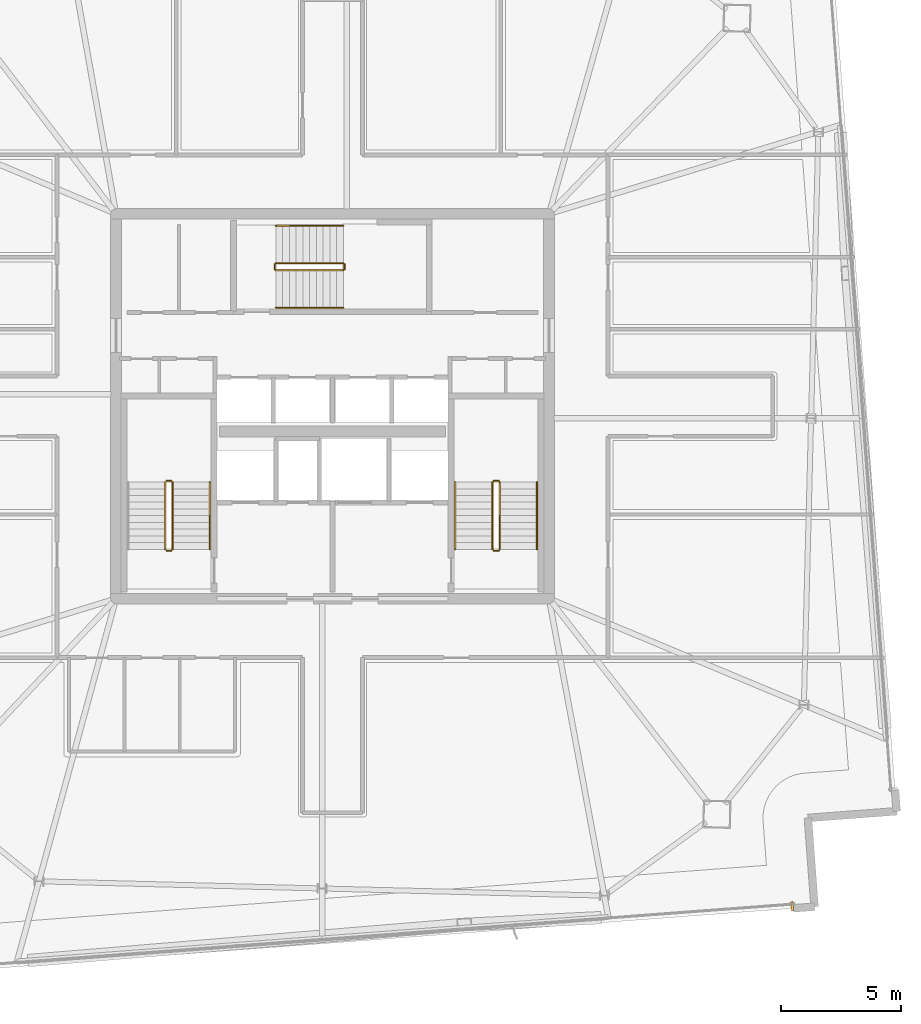
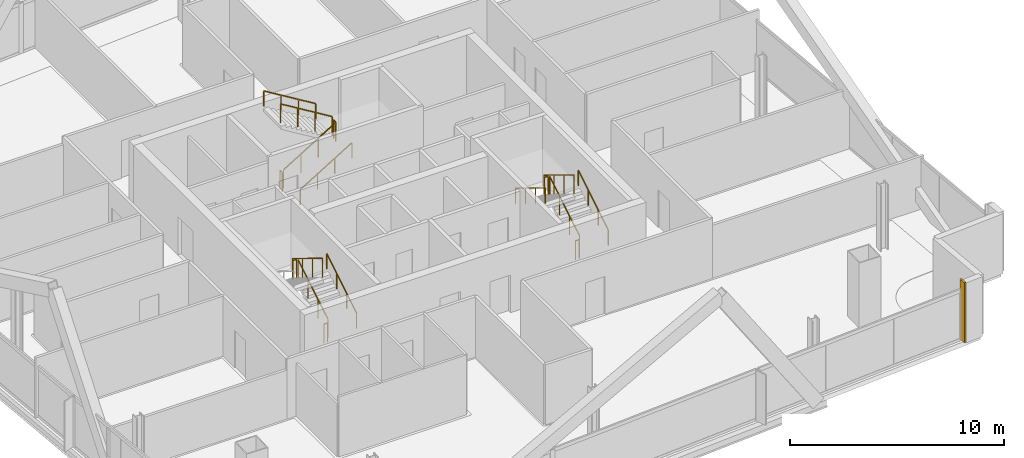
# One storey, part 22 of 23: 17 railings, 1 covering.
"""IFC4 building model written with IfcOpenShell, lengths in metres."""

from ifc_helpers import new_model, si_unit, direction, frame, origin, origin_2d, place, context, subcontext, project, spatial, rectangle, extrude, source, transform, mapped, material, layer, layer_set, type_object, element, save


model = new_model("IFC4")

# Units and contexts
model_context = context("Model", 3, precision=1e-05, world=origin(), true_north=direction((0.0, 1.0)))
body_context = subcontext(model_context, "Body", "Model", "MODEL_VIEW")
ifc_project = project(units=[si_unit("LENGTHUNIT", "METRE"), si_unit("AREAUNIT", "SQUARE_METRE"), si_unit("VOLUMEUNIT", "CUBIC_METRE"), si_unit("PLANEANGLEUNIT", "RADIAN"), si_unit("MASSUNIT", "GRAM", prefix="KILO")], contexts=[model_context])

# Site, building, storey
site_placement = place(None, origin())
site = spatial("IfcSite", under=ifc_project, at=site_placement, CompositionType="ELEMENT")
building_placement = place(site_placement, origin())
building = spatial("IfcBuilding", under=site, at=building_placement, Name="Haldenkirk Collegiate Tower", CompositionType="ELEMENT")
storey_placement = place(building_placement, frame((0.0, 0.0, 343.949951171875)))
storey = spatial("IfcBuildingStorey", under=building, at=storey_placement, Name="L87", CompositionType="ELEMENT", Elevation=343.949951171875)

# Railings
ifc_material_1 = material(Name="Painted architectural tubular steel", Category="steel")
railing_type_1 = type_object("IfcRailingType", Name="RLG-STAIR-GUARD-1100", PredefinedType="BALUSTRADE", material=ifc_material_1)
railing_1_placement = place(storey_placement, frame((29.35009765625, 20.050048828125, 0.17041015625)))
element("IfcRailing", 1, at=railing_1_placement, inside=storey, type_object=railing_type_1, Name="L87 ST-1 stair guard 1", PredefinedType="BALUSTRADE", context=body_context, shape_type="SweptSolid", body=[
    extrude(rectangle(XDim=0.048095703125, YDim=0.048095703125, at=origin_2d()), frame((0.0, 0.0, 1.076171875), z_axis=(0.0, 0.854169791009, 0.51999420009), x_axis=(-1.0, 0.0, 0.0)), (0.0, 0.0, 1.0), 3.278076171875),
    extrude(rectangle(XDim=0.0419921875, YDim=0.0419921875, at=origin_2d()), origin(), (0.0, 0.0, 1.0), 1.052001953125),
    extrude(rectangle(XDim=0.0419921875, YDim=0.0419921875, at=origin_2d()), frame((0.0, 0.933349609375, 0.568115234375)), (0.0, 0.0, 1.0), 1.052001953125),
    extrude(rectangle(XDim=0.0419921875, YDim=0.0419921875, at=origin_2d()), frame((0.0, 1.86669921875, 1.136474609375)), (0.0, 0.0, 1.0), 1.052001953125),
    extrude(rectangle(XDim=0.0419921875, YDim=0.0419921875, at=origin_2d()), frame((0.0, 2.800048828125, 1.70458984375)), (0.0, 0.0, 1.0), 1.052001953125),
])
railing_2_placement = place(storey_placement, frame((29.300048828125, 22.89990234375, 1.875)))
element("IfcRailing", 2, at=railing_2_placement, inside=storey, type_object=railing_type_1, Name="L87 ST-1 stair guard 2", PredefinedType="BALUSTRADE", context=body_context, shape_type="SweptSolid", body=[
    extrude(rectangle(XDim=0.048095703125, YDim=0.048095703125, at=origin_2d()), frame((0.0, 0.0, 1.076171875), z_axis=(-1.0, 0.0, 0.0), x_axis=(0.0, -1.0, 0.0)), (0.0, 0.0, 1.0), 0.199951171875),
    extrude(rectangle(XDim=0.0419921875, YDim=0.0419921875, at=origin_2d()), origin(), (0.0, 0.0, 1.0), 1.052001953125),
    extrude(rectangle(XDim=0.0419921875, YDim=0.0419921875, at=origin_2d()), frame((-0.199951171875, 0.0, 0.0)), (0.0, 0.0, 1.0), 1.052001953125),
])
railing_3_placement = place(storey_placement, frame((29.050048828125, 22.85009765625, 2.04541015625)))
element("IfcRailing", 3, at=railing_3_placement, inside=storey, type_object=railing_type_1, Name="L87 ST-1 stair guard 3", PredefinedType="BALUSTRADE", context=body_context, shape_type="SweptSolid", body=[
    extrude(rectangle(XDim=0.048095703125, YDim=0.048095703125, at=origin_2d()), frame((0.0, 0.0, 1.076171875), z_axis=(0.0, -0.854169791009, 0.51999420009), x_axis=(1.0, 0.0, 0.0)), (0.0, 0.0, 1.0), 3.278076171875),
    extrude(rectangle(XDim=0.0419921875, YDim=0.0419921875, at=origin_2d()), origin(), (0.0, 0.0, 1.0), 1.052001953125),
    extrude(rectangle(XDim=0.0419921875, YDim=0.0419921875, at=origin_2d()), frame((0.0, -0.933349609375, 0.568115234375)), (0.0, 0.0, 1.0), 1.052001953125),
    extrude(rectangle(XDim=0.0419921875, YDim=0.0419921875, at=origin_2d()), frame((0.0, -1.86669921875, 1.136474609375)), (0.0, 0.0, 1.0), 1.052001953125),
    extrude(rectangle(XDim=0.0419921875, YDim=0.0419921875, at=origin_2d()), frame((0.0, -2.800048828125, 1.70458984375)), (0.0, 0.0, 1.0), 1.052001953125),
])
railing_4_placement = place(storey_placement, frame((29.300048828125, 20.0, 0.0)))
element("IfcRailing", 4, at=railing_4_placement, inside=storey, type_object=railing_type_1, Name="L87 ST-1 stair guard 4", PredefinedType="BALUSTRADE", context=body_context, shape_type="SweptSolid", body=[
    extrude(rectangle(XDim=0.048095703125, YDim=0.048095703125, at=origin_2d()), frame((0.0, 0.0, 1.076171875), z_axis=(-1.0, 0.0, 0.0), x_axis=(0.0, -1.0, 0.0)), (0.0, 0.0, 1.0), 0.199951171875),
    extrude(rectangle(XDim=0.0419921875, YDim=0.0419921875, at=origin_2d()), origin(), (0.0, 0.0, 1.0), 1.052001953125),
    extrude(rectangle(XDim=0.0419921875, YDim=0.0419921875, at=origin_2d()), frame((-0.199951171875, 0.0, 0.0)), (0.0, 0.0, 1.0), 1.052001953125),
])
railing_5_placement = place(storey_placement, frame((42.949951171875, 20.050048828125, 0.17041015625)))
element("IfcRailing", 5, at=railing_5_placement, inside=storey, type_object=railing_type_1, Name="L87 ST-2 stair guard 1", PredefinedType="BALUSTRADE", context=body_context, shape_type="SweptSolid", body=[
    extrude(rectangle(XDim=0.048095703125, YDim=0.048095703125, at=origin_2d()), frame((0.0, 0.0, 1.076171875), z_axis=(0.0, 0.854169791009, 0.51999420009), x_axis=(-1.0, 0.0, 0.0)), (0.0, 0.0, 1.0), 3.278076171875),
    extrude(rectangle(XDim=0.0419921875, YDim=0.0419921875, at=origin_2d()), origin(), (0.0, 0.0, 1.0), 1.052001953125),
    extrude(rectangle(XDim=0.0419921875, YDim=0.0419921875, at=origin_2d()), frame((0.0, 0.933349609375, 0.568115234375)), (0.0, 0.0, 1.0), 1.052001953125),
    extrude(rectangle(XDim=0.0419921875, YDim=0.0419921875, at=origin_2d()), frame((0.0, 1.86669921875, 1.136474609375)), (0.0, 0.0, 1.0), 1.052001953125),
    extrude(rectangle(XDim=0.0419921875, YDim=0.0419921875, at=origin_2d()), frame((0.0, 2.800048828125, 1.70458984375)), (0.0, 0.0, 1.0), 1.052001953125),
])
railing_6_placement = place(storey_placement, frame((42.89990234375, 22.89990234375, 1.875)))
element("IfcRailing", 6, at=railing_6_placement, inside=storey, type_object=railing_type_1, Name="L87 ST-2 stair guard 2", PredefinedType="BALUSTRADE", context=body_context, shape_type="SweptSolid", body=[
    extrude(rectangle(XDim=0.048095703125, YDim=0.048095703125, at=origin_2d()), frame((0.0, 0.0, 1.076171875), z_axis=(-1.0, 0.0, 0.0), x_axis=(0.0, -1.0, 0.0)), (0.0, 0.0, 1.0), 0.199951171875),
    extrude(rectangle(XDim=0.0419921875, YDim=0.0419921875, at=origin_2d()), origin(), (0.0, 0.0, 1.0), 1.052001953125),
    extrude(rectangle(XDim=0.0419921875, YDim=0.0419921875, at=origin_2d()), frame((-0.199951171875, 0.0, 0.0)), (0.0, 0.0, 1.0), 1.052001953125),
])
railing_7_placement = place(storey_placement, frame((42.64990234375, 22.85009765625, 2.04541015625)))
element("IfcRailing", 7, at=railing_7_placement, inside=storey, type_object=railing_type_1, Name="L87 ST-2 stair guard 3", PredefinedType="BALUSTRADE", context=body_context, shape_type="SweptSolid", body=[
    extrude(rectangle(XDim=0.048095703125, YDim=0.048095703125, at=origin_2d()), frame((0.0, 0.0, 1.076171875), z_axis=(0.0, -0.854169791009, 0.51999420009), x_axis=(1.0, 0.0, 0.0)), (0.0, 0.0, 1.0), 3.278076171875),
    extrude(rectangle(XDim=0.0419921875, YDim=0.0419921875, at=origin_2d()), origin(), (0.0, 0.0, 1.0), 1.052001953125),
    extrude(rectangle(XDim=0.0419921875, YDim=0.0419921875, at=origin_2d()), frame((0.0, -0.933349609375, 0.568115234375)), (0.0, 0.0, 1.0), 1.052001953125),
    extrude(rectangle(XDim=0.0419921875, YDim=0.0419921875, at=origin_2d()), frame((0.0, -1.86669921875, 1.136474609375)), (0.0, 0.0, 1.0), 1.052001953125),
    extrude(rectangle(XDim=0.0419921875, YDim=0.0419921875, at=origin_2d()), frame((0.0, -2.800048828125, 1.70458984375)), (0.0, 0.0, 1.0), 1.052001953125),
])
railing_8_placement = place(storey_placement, frame((42.89990234375, 20.0, 0.0)))
element("IfcRailing", 8, at=railing_8_placement, inside=storey, type_object=railing_type_1, Name="L87 ST-2 stair guard 4", PredefinedType="BALUSTRADE", context=body_context, shape_type="SweptSolid", body=[
    extrude(rectangle(XDim=0.048095703125, YDim=0.048095703125, at=origin_2d()), frame((0.0, 0.0, 1.076171875), z_axis=(-1.0, 0.0, 0.0), x_axis=(0.0, -1.0, 0.0)), (0.0, 0.0, 1.0), 0.199951171875),
    extrude(rectangle(XDim=0.0419921875, YDim=0.0419921875, at=origin_2d()), origin(), (0.0, 0.0, 1.0), 1.052001953125),
    extrude(rectangle(XDim=0.0419921875, YDim=0.0419921875, at=origin_2d()), frame((-0.199951171875, 0.0, 0.0)), (0.0, 0.0, 1.0), 1.052001953125),
])
railing_9_placement = place(storey_placement, frame((33.64990234375, 31.64990234375, 0.17041015625)))
element("IfcRailing", 9, at=railing_9_placement, inside=storey, type_object=railing_type_1, Name="L87 ST-3 stair guard 1", PredefinedType="BALUSTRADE", context=body_context, shape_type="SweptSolid", body=[
    extrude(rectangle(XDim=0.048095703125, YDim=0.048095703125, at=origin_2d()), frame((0.0, 0.0, 1.076171875), z_axis=(0.854169791009, 0.0, 0.51999420009), x_axis=(0.0, 1.0, 0.0)), (0.0, 0.0, 1.0), 3.278076171875),
    extrude(rectangle(XDim=0.0419921875, YDim=0.0419921875, at=origin_2d()), origin(), (0.0, 0.0, 1.0), 1.052001953125),
    extrude(rectangle(XDim=0.0419921875, YDim=0.0419921875, at=origin_2d()), frame((0.933349609375, 0.0, 0.568115234375)), (0.0, 0.0, 1.0), 1.052001953125),
    extrude(rectangle(XDim=0.0419921875, YDim=0.0419921875, at=origin_2d()), frame((1.86669921875, 0.0, 1.136474609375)), (0.0, 0.0, 1.0), 1.052001953125),
    extrude(rectangle(XDim=0.0419921875, YDim=0.0419921875, at=origin_2d()), frame((2.800048828125, 0.0, 1.70458984375)), (0.0, 0.0, 1.0), 1.052001953125),
])
railing_10_placement = place(storey_placement, frame((36.5, 31.699951171875, 1.875)))
element("IfcRailing", 10, at=railing_10_placement, inside=storey, type_object=railing_type_1, Name="L87 ST-3 stair guard 2", PredefinedType="BALUSTRADE", context=body_context, shape_type="SweptSolid", body=[
    extrude(rectangle(XDim=0.048095703125, YDim=0.048095703125, at=origin_2d()), frame((0.0, 0.0, 1.076171875), z_axis=(0.0, 1.0, 0.0), x_axis=(-1.0, 0.0, 0.0)), (0.0, 0.0, 1.0), 0.199951171875),
    extrude(rectangle(XDim=0.0419921875, YDim=0.0419921875, at=origin_2d()), origin(), (0.0, 0.0, 1.0), 1.052001953125),
    extrude(rectangle(XDim=0.0419921875, YDim=0.0419921875, at=origin_2d()), frame((0.0, 0.199951171875, 0.0)), (0.0, 0.0, 1.0), 1.052001953125),
])
railing_11_placement = place(storey_placement, frame((36.449951171875, 31.949951171875, 2.04541015625)))
element("IfcRailing", 11, at=railing_11_placement, inside=storey, type_object=railing_type_1, Name="L87 ST-3 stair guard 3", PredefinedType="BALUSTRADE", context=body_context, shape_type="SweptSolid", body=[
    extrude(rectangle(XDim=0.048095703125, YDim=0.048095703125, at=origin_2d()), frame((0.0, 0.0, 1.076171875), z_axis=(-0.854169791009, 0.0, 0.51999420009), x_axis=(0.0, -1.0, 0.0)), (0.0, 0.0, 1.0), 3.278076171875),
    extrude(rectangle(XDim=0.0419921875, YDim=0.0419921875, at=origin_2d()), origin(), (0.0, 0.0, 1.0), 1.052001953125),
    extrude(rectangle(XDim=0.0419921875, YDim=0.0419921875, at=origin_2d()), frame((-0.933349609375, 0.0, 0.568115234375)), (0.0, 0.0, 1.0), 1.052001953125),
    extrude(rectangle(XDim=0.0419921875, YDim=0.0419921875, at=origin_2d()), frame((-1.86669921875, 0.0, 1.136474609375)), (0.0, 0.0, 1.0), 1.052001953125),
    extrude(rectangle(XDim=0.0419921875, YDim=0.0419921875, at=origin_2d()), frame((-2.800048828125, 0.0, 1.70458984375)), (0.0, 0.0, 1.0), 1.052001953125),
])
railing_12_placement = place(storey_placement, frame((33.60009765625, 31.699951171875, 0.0)))
element("IfcRailing", 12, at=railing_12_placement, inside=storey, type_object=railing_type_1, Name="L87 ST-3 stair guard 4", PredefinedType="BALUSTRADE", context=body_context, shape_type="SweptSolid", body=[
    extrude(rectangle(XDim=0.048095703125, YDim=0.048095703125, at=origin_2d()), frame((0.0, 0.0, 1.076171875), z_axis=(0.0, 1.0, 0.0), x_axis=(-1.0, 0.0, 0.0)), (0.0, 0.0, 1.0), 0.199951171875),
    extrude(rectangle(XDim=0.0419921875, YDim=0.0419921875, at=origin_2d()), origin(), (0.0, 0.0, 1.0), 1.052001953125),
    extrude(rectangle(XDim=0.0419921875, YDim=0.0419921875, at=origin_2d()), frame((0.0, 0.199951171875, 0.0)), (0.0, 0.0, 1.0), 1.052001953125),
])
railing_type_2 = type_object("IfcRailingType", Name="RLG-STAIR-HANDRAIL-900", PredefinedType="HANDRAIL", material=ifc_material_1)
for number, where, name in (
    (13, (30.89990234375, 20.050048828125, 0.17041015625), "L87 ST-1 stair handrail 1"),
    (14, (44.5, 20.050048828125, 0.17041015625), "L87 ST-2 stair handrail 1"),
):
    element("IfcRailing", number, at=place(storey_placement, frame(where)), inside=storey, type_object=railing_type_2, Name=name, PredefinedType="HANDRAIL", context=body_context, shape_type="SweptSolid", body=[
        extrude(rectangle(XDim=0.048095703125, YDim=0.048095703125, at=origin_2d()), frame((0.0, 0.0, 0.8759765625), z_axis=(0.0, 0.854169791009, 0.51999420009), x_axis=(-1.0, 0.0, 0.0)), (0.0, 0.0, 1.0), 3.278076171875),
        extrude(rectangle(XDim=0.0419921875, YDim=0.0419921875, at=origin_2d()), origin(), (0.0, 0.0, 1.0), 0.851806640625),
        extrude(rectangle(XDim=0.0419921875, YDim=0.0419921875, at=origin_2d()), frame((0.0, 0.933349609375, 0.568115234375)), (0.0, 0.0, 1.0), 0.851806640625),
        extrude(rectangle(XDim=0.0419921875, YDim=0.0419921875, at=origin_2d()), frame((0.0, 1.86669921875, 1.136474609375)), (0.0, 0.0, 1.0), 0.851806640625),
        extrude(rectangle(XDim=0.0419921875, YDim=0.0419921875, at=origin_2d()), frame((0.0, 2.800048828125, 1.70458984375)), (0.0, 0.0, 1.0), 0.851806640625),
    ])
railing_13_placement = place(storey_placement, frame((41.10009765625, 22.85009765625, 2.04541015625)))
element("IfcRailing", 15, at=railing_13_placement, inside=storey, type_object=railing_type_2, Name="L87 ST-2 stair handrail 2", PredefinedType="HANDRAIL", context=body_context, shape_type="SweptSolid", body=[
    extrude(rectangle(XDim=0.048095703125, YDim=0.048095703125, at=origin_2d()), frame((0.0, 0.0, 0.8759765625), z_axis=(0.0, -0.854169791009, 0.51999420009), x_axis=(1.0, 0.0, 0.0)), (0.0, 0.0, 1.0), 3.278076171875),
    extrude(rectangle(XDim=0.0419921875, YDim=0.0419921875, at=origin_2d()), origin(), (0.0, 0.0, 1.0), 0.851806640625),
    extrude(rectangle(XDim=0.0419921875, YDim=0.0419921875, at=origin_2d()), frame((0.0, -0.933349609375, 0.568115234375)), (0.0, 0.0, 1.0), 0.851806640625),
    extrude(rectangle(XDim=0.0419921875, YDim=0.0419921875, at=origin_2d()), frame((0.0, -1.86669921875, 1.136474609375)), (0.0, 0.0, 1.0), 0.851806640625),
    extrude(rectangle(XDim=0.0419921875, YDim=0.0419921875, at=origin_2d()), frame((0.0, -2.800048828125, 1.70458984375)), (0.0, 0.0, 1.0), 0.851806640625),
])
railing_14_placement = place(storey_placement, frame((33.64990234375, 30.10009765625, 0.17041015625)))
element("IfcRailing", 16, at=railing_14_placement, inside=storey, type_object=railing_type_2, Name="L87 ST-3 stair handrail 1", PredefinedType="HANDRAIL", context=body_context, shape_type="SweptSolid", body=[
    extrude(rectangle(XDim=0.048095703125, YDim=0.048095703125, at=origin_2d()), frame((0.0, 0.0, 0.8759765625), z_axis=(0.854169791009, 0.0, 0.51999420009), x_axis=(0.0, 1.0, 0.0)), (0.0, 0.0, 1.0), 3.278076171875),
    extrude(rectangle(XDim=0.0419921875, YDim=0.0419921875, at=origin_2d()), origin(), (0.0, 0.0, 1.0), 0.851806640625),
    extrude(rectangle(XDim=0.0419921875, YDim=0.0419921875, at=origin_2d()), frame((0.933349609375, 0.0, 0.568115234375)), (0.0, 0.0, 1.0), 0.851806640625),
    extrude(rectangle(XDim=0.0419921875, YDim=0.0419921875, at=origin_2d()), frame((1.86669921875, 0.0, 1.136474609375)), (0.0, 0.0, 1.0), 0.851806640625),
    extrude(rectangle(XDim=0.0419921875, YDim=0.0419921875, at=origin_2d()), frame((2.800048828125, 0.0, 1.70458984375)), (0.0, 0.0, 1.0), 0.851806640625),
])
railing_15_placement = place(storey_placement, frame((36.449951171875, 33.5, 2.04541015625)))
element("IfcRailing", 17, at=railing_15_placement, inside=storey, type_object=railing_type_2, Name="L87 ST-3 stair handrail 2", PredefinedType="HANDRAIL", context=body_context, shape_type="SweptSolid", body=[
    extrude(rectangle(XDim=0.048095703125, YDim=0.048095703125, at=origin_2d()), frame((0.0, 0.0, 0.8759765625), z_axis=(-0.854169791009, 0.0, 0.51999420009), x_axis=(0.0, -1.0, 0.0)), (0.0, 0.0, 1.0), 3.278076171875),
    extrude(rectangle(XDim=0.0419921875, YDim=0.0419921875, at=origin_2d()), origin(), (0.0, 0.0, 1.0), 0.851806640625),
    extrude(rectangle(XDim=0.0419921875, YDim=0.0419921875, at=origin_2d()), frame((-0.933349609375, 0.0, 0.568115234375)), (0.0, 0.0, 1.0), 0.851806640625),
    extrude(rectangle(XDim=0.0419921875, YDim=0.0419921875, at=origin_2d()), frame((-1.86669921875, 0.0, 1.136474609375)), (0.0, 0.0, 1.0), 0.851806640625),
    extrude(rectangle(XDim=0.0419921875, YDim=0.0419921875, at=origin_2d()), frame((-2.800048828125, 0.0, 1.70458984375)), (0.0, 0.0, 1.0), 0.851806640625),
])

# Covering
ifc_material_2 = material(Name="Anodised architectural bronze aluminium", Category="aluminium")
ifc_layer = layer(ifc_material_2, 0.06005859375)
ifc_layer_set = layer_set([ifc_layer], Name="Anodised architectural bronze aluminium")
covering_type = type_object("IfcCoveringType", Name="COV-CLAD-BRONZE-60", PredefinedType="CLADDING", material=ifc_layer_set)
shared_shape = source(origin(), body_context, "Body", "SweptSolid", [
    extrude(rectangle(XDim=0.10009765625, YDim=0.3798828125, at=origin_2d()), origin(), (0.0, 0.0, 1.0), 3.429931640625),
])
covering_placement = place(storey_placement, frame((55.107177734375, 5.214111328125, 0.0), z_axis=(0.0, 0.0, 1.0), x_axis=(-0.997185133525, -0.074978726826, 0.0)))
element("IfcCovering", 18, at=covering_placement, inside=storey, type_object=covering_type, Name="L87 recessed curtain-wall bronze jamb closure WJL", PredefinedType="CLADDING", context=body_context, shape_type="MappedRepresentation", body=[
    mapped(shared_shape, transform((0.0, 0.0, 0.0), x_axis=(1.0, 0.0, 0.0), y_axis=(0.0, 1.0, 0.0), z_axis=(0.0, 0.0, 1.0), scale=1.0)),
])

save(model, "model.ifc")
